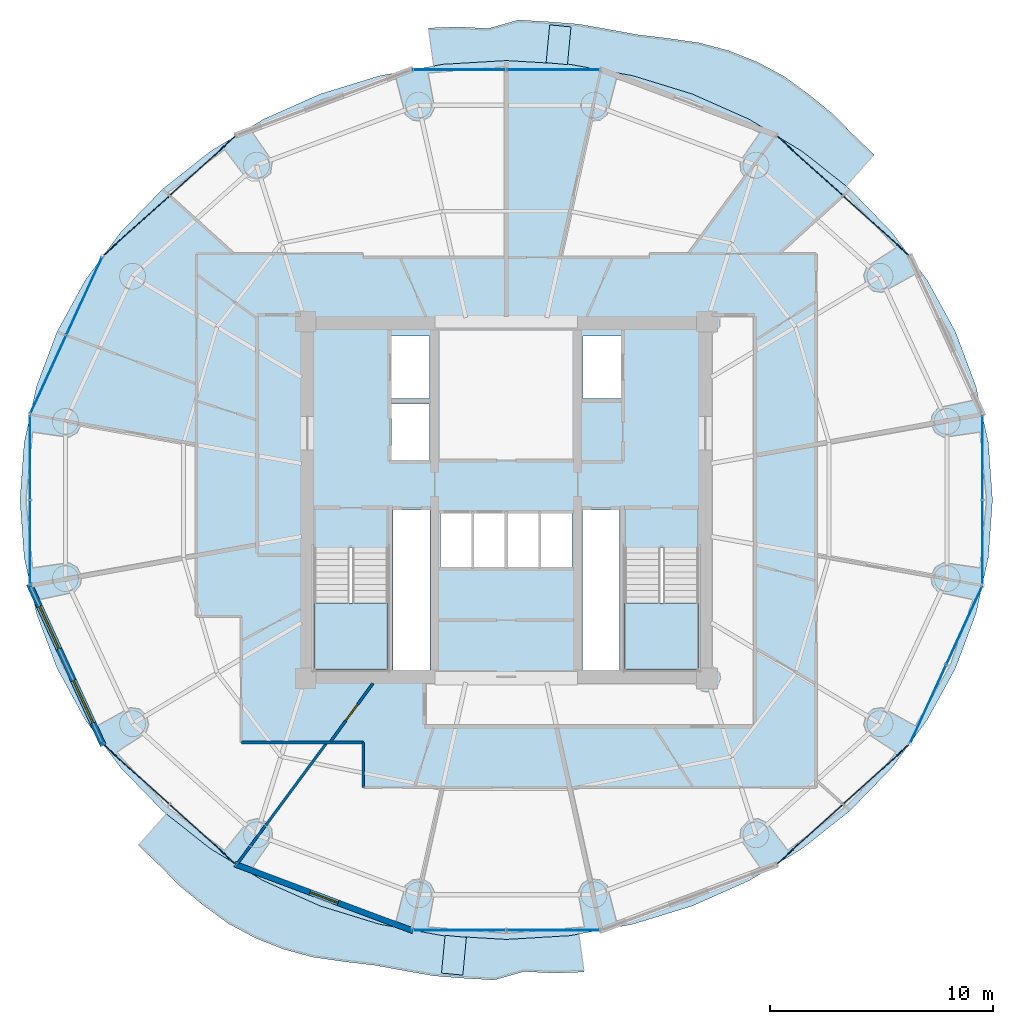
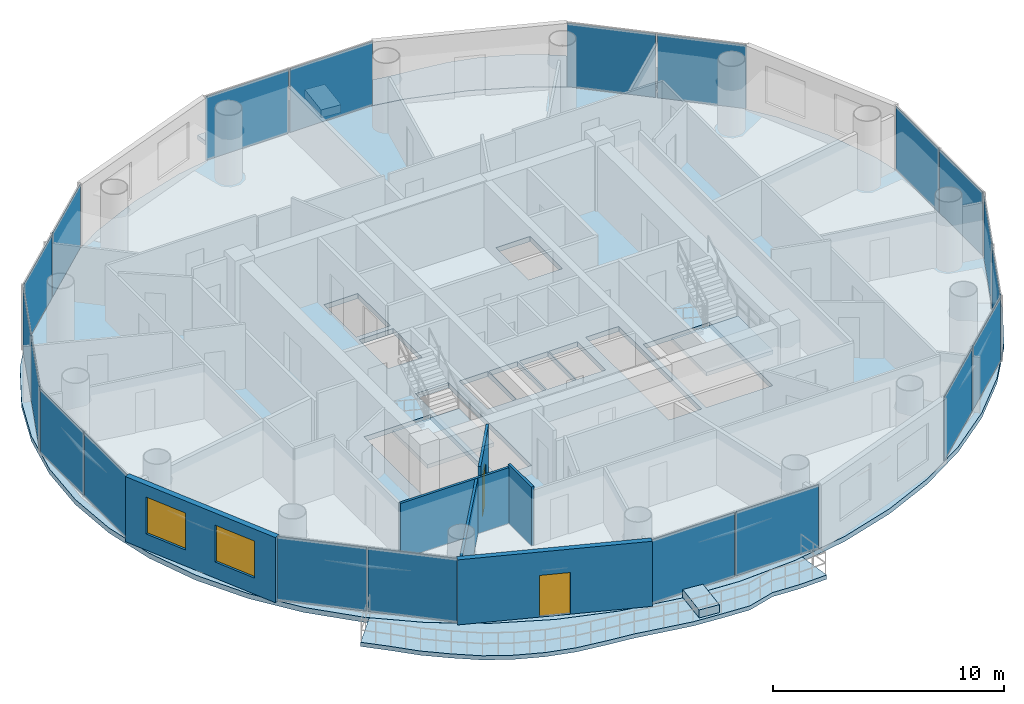
# One storey, part 19 of 27: 20 plates, 7 slabs, 6 walls, 2 doors, 2 windows, 4 openings, 12 elements without a shape of their own.
"""IFC4 building model written with IfcOpenShell, lengths in metres."""

from ifc_helpers import new_model, si_unit, direction, frame, frame_2d, origin, origin_2d, place, context, subcontext, project, spatial, polyline, rectangle, outline, extrude, source, transform, mapped, material, layer, layer_set, type_object, element, fill, aggregate, save


model = new_model("IFC4")

# Units and contexts
model_context = context("Model", 3, precision=1e-05, world=origin(), true_north=direction((-0.2419218956, 0.970295726276)))
body_context = subcontext(model_context, "Body", "Model", "MODEL_VIEW")
ifc_project = project(units=[si_unit("LENGTHUNIT", "METRE"), si_unit("AREAUNIT", "SQUARE_METRE"), si_unit("VOLUMEUNIT", "CUBIC_METRE"), si_unit("PLANEANGLEUNIT", "RADIAN"), si_unit("MASSUNIT", "GRAM", prefix="KILO")], contexts=[model_context])

# Site, building, storey
site_placement = place(None, origin())
site = spatial("IfcSite", under=ifc_project, at=site_placement, CompositionType="ELEMENT")
building_placement = place(site_placement, origin())
building = spatial("IfcBuilding", under=site, at=building_placement, Name="Cobrevalo Terracotta Tower", CompositionType="ELEMENT")
storey_placement = place(building_placement, frame((0.0, 0.0, 191.199951171875)))
storey = spatial("IfcBuildingStorey", under=building, at=storey_placement, Name="L50", CompositionType="ELEMENT", Elevation=191.199951171875)

# Stair, slab
ifc_material_1 = material(Name="Concrete C50", Category="concrete")
stair_type = type_object("IfcStairType", Name="Core protected escape dogleg stair 1600", PredefinedType="HALF_TURN_STAIR", material=ifc_material_1)
stair_1_placement = place(storey_placement, origin())
stair_1 = element("IfcStair", 1, at=stair_1_placement, inside=storey, type_object=stair_type, Name="L50 Protected exit stair ST-1", PredefinedType="HALF_TURN_STAIR")
ifc_layer_1 = layer(ifc_material_1, 0.199951171875)
ifc_layer_set_1 = layer_set([ifc_layer_1], Name="Concrete C50")
slab_type_1 = type_object("IfcSlabType", Name="Reinforced Concrete Stair Landing 200", PredefinedType="LANDING", material=ifc_layer_set_1)
slab_1_placement = place(storey_placement, frame((0.0, 0.0, 1.650146484375)))
slab_1 = element("IfcSlab", 2, at=slab_1_placement, type_object=slab_type_1, Name="ST-1 landing 1", PredefinedType="LANDING", context=body_context, shape_type="SweptSolid", body=[
    extrude(outline(polyline([(29.375, 22.179931640625), (29.375, 19.175048828125), (32.695068359375, 19.175048828125), (32.695068359375, 22.179931640625), (29.375, 22.179931640625)])), origin(), (0.0, 0.0, 1.0), 0.199951171875),
])
aggregate(stair_1, [slab_1])

stair_2_placement = place(storey_placement, origin())
stair_2 = element("IfcStair", 3, at=stair_2_placement, inside=storey, type_object=stair_type, Name="L50 Protected exit stair ST-2", PredefinedType="HALF_TURN_STAIR")
slab_2_placement = place(storey_placement, frame((0.0, 0.0, 1.650146484375)))
slab_2 = element("IfcSlab", 4, at=slab_2_placement, type_object=slab_type_1, Name="ST-2 landing 1", PredefinedType="LANDING", context=body_context, shape_type="SweptSolid", body=[
    extrude(outline(polyline([(43.304931640625, 22.179931640625), (43.304931640625, 19.175048828125), (46.625, 19.175048828125), (46.625, 22.179931640625), (43.304931640625, 22.179931640625)])), origin(), (0.0, 0.0, 1.0), 0.199951171875),
])
aggregate(stair_2, [slab_2])

# Slabs
ifc_material_2 = material(Name="Concrete C45", Category="concrete")
ifc_layer_2 = layer(ifc_material_2, 0.219970703125)
ifc_layer_set_2 = layer_set([ifc_layer_2], Name="Concrete C45")
slab_type_2 = type_object("IfcSlabType", Name="Spiralling cantilevered balcony lobe slab 220 mm", PredefinedType="FLOOR", material=ifc_layer_set_2)
slab_3_placement = place(storey_placement, frame((0.0, 0.0, -0.219970703125)))
element("IfcSlab", 5, at=slab_3_placement, inside=storey, type_object=slab_type_2, Name="L50 spiralling arc balcony slab lobe 1", PredefinedType="FLOOR", context=body_context, shape_type="SweptSolid", body=[
    extrude(outline(polyline([(54.498291015625, 42.279296875), (53.539794921875, 43.189697265625), (52.595458984375, 44.141357421875), (51.545166015625, 44.99560546875), (50.444091796875, 45.79931640625), (49.239501953125, 46.443359375), (47.96337890625, 46.947021484375), (46.63671875, 47.3017578125), (45.266845703125, 47.497314453125), (43.91162109375, 47.6572265625), (42.580322265625, 47.899169921875), (41.248779296875, 48.135986328125), (39.898193359375, 48.24072265625), (38.54443359375, 48.319580078125), (37.201904296875, 47.9423828125), (35.85498046875, 48.008544921875), (34.508056640625, 47.962890625), (34.7412109375, 46.25927734375), (35.154296875, 46.33349609375), (38.0, 46.501953125), (40.845703125, 46.33349609375), (43.642822265625, 45.83056640625), (46.34326171875, 45.002197265625), (48.90087890625, 43.862548828125), (51.272216796875, 42.4306640625), (53.2470703125, 40.86572265625), (54.498291015625, 42.279296875)])), origin(), (0.0, 0.0, 1.0), 0.219970703125),
])
slab_4_placement = place(storey_placement, frame((0.0, 0.0, -0.219970703125)))
element("IfcSlab", 6, at=slab_4_placement, inside=storey, type_object=slab_type_2, Name="L50 spiralling arc balcony slab lobe 2", PredefinedType="FLOOR", context=body_context, shape_type="SweptSolid", body=[
    extrude(outline(polyline([(21.501708984375, 11.320556640625), (22.460205078125, 10.41015625), (23.404541015625, 9.45849609375), (24.454833984375, 8.6044921875), (25.555908203125, 7.80078125), (26.760498046875, 7.15673828125), (28.03662109375, 6.653076171875), (29.36328125, 6.29833984375), (30.733154296875, 6.1025390625), (32.08837890625, 5.942626953125), (33.419677734375, 5.70068359375), (34.751220703125, 5.4638671875), (36.101806640625, 5.359375), (37.45556640625, 5.2802734375), (38.798095703125, 5.65771484375), (40.14501953125, 5.59130859375), (41.491943359375, 5.636962890625), (41.2587890625, 7.3408203125), (40.845703125, 7.2666015625), (38.0, 7.097900390625), (35.154296875, 7.2666015625), (32.357177734375, 7.769287109375), (29.65673828125, 8.59765625), (27.09912109375, 9.737548828125), (24.727783203125, 11.16943359375), (22.7529296875, 12.734375), (21.501708984375, 11.320556640625)])), origin(), (0.0, 0.0, 1.0), 0.219970703125),
])
ifc_material_3 = material(Name="Precast concrete C45", Category="concrete")
ifc_layer_3 = layer(ifc_material_3, 0.419921875)
ifc_layer_set_3 = layer_set([ifc_layer_3], Name="Precast concrete C45")
slab_type_3 = type_object("IfcSlabType", Name="Structural tree planter trough base 420 mm", PredefinedType="USERDEFINED", material=ifc_layer_set_3)
slab_5_placement = place(storey_placement, origin())
element("IfcSlab", 7, at=slab_5_placement, inside=storey, type_object=slab_type_3, Name="L50 structural tree planter trough 1", ObjectType="PLANTER", PredefinedType="USERDEFINED", context=body_context, shape_type="SweptSolid", body=[
    extrude(outline(polyline([(40.742919921875, 46.318115234375), (40.90283203125, 48.010498046875), (39.947265625, 48.100830078125), (39.787109375, 46.408447265625), (40.742919921875, 46.318115234375)])), origin(), (0.0, 0.0, 1.0), 0.420166015625),
])
slab_6_placement = place(storey_placement, origin())
element("IfcSlab", 8, at=slab_6_placement, inside=storey, type_object=slab_type_3, Name="L50 structural tree planter trough 2", ObjectType="PLANTER", PredefinedType="USERDEFINED", context=body_context, shape_type="SweptSolid", body=[
    extrude(outline(polyline([(35.257080078125, 7.281982421875), (35.09716796875, 5.58935546875), (36.052734375, 5.4990234375), (36.212890625, 7.191650390625), (35.257080078125, 7.281982421875)])), origin(), (0.0, 0.0, 1.0), 0.420166015625),
])
ifc_layer_4 = layer(ifc_material_2, 0.264892578125)
ifc_layer_set_4 = layer_set([ifc_layer_4], Name="Concrete C45")
slab_type_4 = type_object("IfcSlabType", Name="Zone Z4 elliptical floor plate 265 mm", PredefinedType="FLOOR", material=ifc_layer_set_4)
slab_7_placement = place(storey_placement, frame((0.0, 0.0, -0.264892578125)))
element("IfcSlab", 9, at=slab_7_placement, inside=storey, type_object=slab_type_4, Name="L50 indoor elliptical floor slab", PredefinedType="FLOOR", context=body_context, shape_type="SweptSolid", body=[
    extrude(outline(polyline([(59.613525390625, 24.228515625), (59.05712890625, 21.701171875), (58.140625, 19.26123046875), (56.87939453125, 16.949951171875), (55.295166015625, 14.807373046875), (53.4150390625, 12.8701171875), (51.27099609375, 11.1708984375), (48.89990234375, 9.7392578125), (46.342529296875, 8.599609375), (43.642333984375, 7.771240234375), (40.845458984375, 7.2685546875), (38.0, 7.10009765625), (35.154541015625, 7.2685546875), (32.357666015625, 7.771240234375), (29.657470703125, 8.599609375), (27.10009765625, 9.7392578125), (24.72900390625, 11.1708984375), (22.5849609375, 12.8701171875), (20.704833984375, 14.807373046875), (19.12060546875, 16.949951171875), (17.859375, 19.26123046875), (16.94287109375, 21.701171875), (16.386474609375, 24.228515625), (16.199951171875, 26.800048828125), (16.386474609375, 29.371337890625), (16.94287109375, 31.898681640625), (17.859375, 34.3388671875), (19.12060546875, 36.64990234375), (20.704833984375, 38.79248046875), (22.5849609375, 40.72998046875), (24.72900390625, 42.428955078125), (27.10009765625, 43.860595703125), (29.657470703125, 45.00048828125), (32.357666015625, 45.828857421875), (35.154541015625, 46.33154296875), (38.0, 46.5), (40.845458984375, 46.33154296875), (43.642333984375, 45.828857421875), (46.342529296875, 45.00048828125), (48.89990234375, 43.860595703125), (51.27099609375, 42.428955078125), (53.4150390625, 40.72998046875), (55.295166015625, 38.79248046875), (56.87939453125, 36.64990234375), (58.140625, 34.3388671875), (59.05712890625, 31.898681640625), (59.613525390625, 29.371337890625), (59.800048828125, 26.800048828125), (59.613525390625, 24.228515625)]), holes=[polyline([(32.695068359375, 19.175048828125), (32.695068359375, 24.659912109375), (29.375, 24.659912109375), (29.375, 19.175048828125), (32.695068359375, 19.175048828125)]), polyline([(34.574951171875, 26.360107421875), (32.919921875, 26.360107421875), (32.919921875, 19.175048828125), (34.574951171875, 19.175048828125), (34.574951171875, 26.360107421875)]), polyline([(36.47998046875, 26.25), (35.050048828125, 26.25), (35.050048828125, 23.800048828125), (36.47998046875, 23.800048828125), (36.47998046875, 26.25)]), polyline([(37.9599609375, 23.800048828125), (37.9599609375, 26.25), (36.530029296875, 26.25), (36.530029296875, 23.800048828125), (37.9599609375, 23.800048828125)]), polyline([(34.550048828125, 28.60009765625), (34.550048828125, 31.10009765625), (32.85009765625, 31.10009765625), (32.85009765625, 28.60009765625), (34.550048828125, 28.60009765625)]), polyline([(34.550048828125, 34.14990234375), (32.85009765625, 34.14990234375), (32.85009765625, 31.35009765625), (34.550048828125, 31.35009765625), (34.550048828125, 34.14990234375)]), polyline([(43.304931640625, 19.175048828125), (46.625, 19.175048828125), (46.625, 24.659912109375), (43.304931640625, 24.659912109375), (43.304931640625, 19.175048828125)]), polyline([(43.080078125, 19.175048828125), (43.080078125, 26.360107421875), (41.425048828125, 26.360107421875), (41.425048828125, 19.175048828125), (43.080078125, 19.175048828125)]), polyline([(39.469970703125, 26.25), (38.0400390625, 26.25), (38.0400390625, 23.800048828125), (39.469970703125, 23.800048828125), (39.469970703125, 26.25)]), polyline([(40.949951171875, 23.800048828125), (40.949951171875, 26.25), (39.52001953125, 26.25), (39.52001953125, 23.800048828125), (40.949951171875, 23.800048828125)]), polyline([(43.14990234375, 31.35009765625), (43.14990234375, 34.14990234375), (41.449951171875, 34.14990234375), (41.449951171875, 31.35009765625), (43.14990234375, 31.35009765625)])]), origin(), (0.0, 0.0, 1.0), 0.264892578125),
])

# Curtain wall, plates
ifc_material_4 = material(Name="Anodized aluminium", Category="aluminium")
curtain_wall_type = type_object("IfcCurtainWallType", Name="Mid-tower high-wind unitised curtain wall CW-U2", PredefinedType="NOTDEFINED", material=ifc_material_4)
curtain_wall_1_placement = place(storey_placement, origin())
curtain_wall_1 = element("IfcCurtainWall", 10, at=curtain_wall_1_placement, inside=storey, type_object=curtain_wall_type, Name="L50 curtain wall CW-L50-S02", PredefinedType="NOTDEFINED")
ifc_material_5 = material(Name="Solar-control low-E double glazing", Category="glass")
ifc_layer_5 = layer(ifc_material_5, 0.028076171875)
ifc_layer_set_5 = layer_set([ifc_layer_5], Name="Solar-control low-E double glazing")
plate_type = type_object("IfcPlateType", Name="Tower solar-control low-E vision glass panel 28 mm", PredefinedType="CURTAIN_PANEL", material=ifc_layer_set_5)
shared_shape_1 = source(origin(), body_context, "Body", "SweptSolid", [
    extrude(rectangle(XDim=3.927490234375, YDim=0.035888671875, at=origin_2d()), origin(), (0.0, 0.0, 1.0), 3.35498046875),
])
plate_1_placement = place(storey_placement, frame((54.584716796875, 39.09814453125, 0.0400390625), z_axis=(0.0, 0.0, 1.0), x_axis=(-0.741987542015, 0.670413668935, 0.0)))
plate_1 = element("IfcPlate", 11, at=plate_1_placement, type_object=plate_type, Name="CW-L50-S02 glazing panel B01", PredefinedType="CURTAIN_PANEL", context=body_context, shape_type="MappedRepresentation", body=[
    mapped(shared_shape_1, transform((0.0, 0.0, 0.0), scale=1.0)),
])
plate_2_placement = place(storey_placement, frame((51.611083984375, 41.784912109375, 0.0400390625), z_axis=(0.0, 0.0, 1.0), x_axis=(-0.741987542015, 0.670413668935, 0.0)))
plate_2 = element("IfcPlate", 12, at=plate_2_placement, type_object=plate_type, Name="CW-L50-S02 glazing panel B02", PredefinedType="CURTAIN_PANEL", context=body_context, shape_type="MappedRepresentation", body=[
    mapped(shared_shape_1, transform((0.0, 0.0, 0.0), scale=1.0)),
])
aggregate(curtain_wall_1, [plate_1, plate_2])

curtain_wall_2_placement = place(storey_placement, origin())
curtain_wall_2 = element("IfcCurtainWall", 13, at=curtain_wall_2_placement, inside=storey, type_object=curtain_wall_type, Name="L50 curtain wall CW-L50-S06", PredefinedType="NOTDEFINED")
plate_3_placement = place(storey_placement, frame((24.388916015625, 41.784912109375, 0.0400390625), z_axis=(0.0, 0.0, 1.0), x_axis=(-0.741987542015, -0.670413668935, 0.0)))
plate_3 = element("IfcPlate", 14, at=plate_3_placement, type_object=plate_type, Name="CW-L50-S06 glazing panel B01", PredefinedType="CURTAIN_PANEL", context=body_context, shape_type="MappedRepresentation", body=[
    mapped(shared_shape_1, transform((0.0, 0.0, 0.0), scale=1.0)),
])
plate_4_placement = place(storey_placement, frame((21.415283203125, 39.09814453125, 0.0400390625), z_axis=(0.0, 0.0, 1.0), x_axis=(-0.741987542015, -0.670413668935, 0.0)))
plate_4 = element("IfcPlate", 15, at=plate_4_placement, type_object=plate_type, Name="CW-L50-S06 glazing panel B02", PredefinedType="CURTAIN_PANEL", context=body_context, shape_type="MappedRepresentation", body=[
    mapped(shared_shape_1, transform((0.0, 0.0, 0.0), scale=1.0)),
])
aggregate(curtain_wall_2, [plate_3, plate_4])

curtain_wall_3_placement = place(storey_placement, origin())
curtain_wall_3 = element("IfcCurtainWall", 16, at=curtain_wall_3_placement, inside=storey, type_object=curtain_wall_type, Name="L50 curtain wall CW-L50-S10", PredefinedType="NOTDEFINED")
plate_5_placement = place(storey_placement, frame((21.415283203125, 14.501708984375, 0.0400390625), z_axis=(0.0, 0.0, 1.0), x_axis=(0.741987542015, -0.670413668935, 0.0)))
plate_5 = element("IfcPlate", 17, at=plate_5_placement, type_object=plate_type, Name="CW-L50-S10 glazing panel B01", PredefinedType="CURTAIN_PANEL", context=body_context, shape_type="MappedRepresentation", body=[
    mapped(shared_shape_1, transform((0.0, 0.0, 0.0), scale=1.0)),
])
plate_6_placement = place(storey_placement, frame((24.388916015625, 11.815185546875, 0.0400390625), z_axis=(0.0, 0.0, 1.0), x_axis=(0.741987542015, -0.670413668935, 0.0)))
plate_6 = element("IfcPlate", 18, at=plate_6_placement, type_object=plate_type, Name="CW-L50-S10 glazing panel B02", PredefinedType="CURTAIN_PANEL", context=body_context, shape_type="MappedRepresentation", body=[
    mapped(shared_shape_1, transform((0.0, 0.0, 0.0), scale=1.0)),
])
aggregate(curtain_wall_3, [plate_5, plate_6])

curtain_wall_4_placement = place(storey_placement, origin())
curtain_wall_4 = element("IfcCurtainWall", 19, at=curtain_wall_4_placement, inside=storey, type_object=curtain_wall_type, Name="L50 curtain wall CW-L50-S14", PredefinedType="NOTDEFINED")
plate_7_placement = place(storey_placement, frame((51.611083984375, 11.815185546875, 0.0400390625), z_axis=(0.0, 0.0, 1.0), x_axis=(0.741987542015, 0.670413668935, 0.0)))
plate_7 = element("IfcPlate", 20, at=plate_7_placement, type_object=plate_type, Name="CW-L50-S14 glazing panel B01", PredefinedType="CURTAIN_PANEL", context=body_context, shape_type="MappedRepresentation", body=[
    mapped(shared_shape_1, transform((0.0, 0.0, 0.0), scale=1.0)),
])
plate_8_placement = place(storey_placement, frame((54.584716796875, 14.501708984375, 0.0400390625), z_axis=(0.0, 0.0, 1.0), x_axis=(0.741987542015, 0.670413668935, 0.0)))
plate_8 = element("IfcPlate", 21, at=plate_8_placement, type_object=plate_type, Name="CW-L50-S14 glazing panel B02", PredefinedType="CURTAIN_PANEL", context=body_context, shape_type="MappedRepresentation", body=[
    mapped(shared_shape_1, transform((0.0, 0.0, 0.0), scale=1.0)),
])
aggregate(curtain_wall_4, [plate_7, plate_8])

curtain_wall_5_placement = place(storey_placement, origin())
curtain_wall_5 = element("IfcCurtainWall", 22, at=curtain_wall_5_placement, inside=storey, type_object=curtain_wall_type, Name="L50 curtain wall CW-L50-S04", PredefinedType="NOTDEFINED")
shared_shape_2 = source(origin(), body_context, "Body", "SweptSolid", [
    extrude(rectangle(XDim=4.127197265625, YDim=0.035888671875, at=origin_2d()), origin(), (0.0, 0.0, 1.0), 3.35498046875),
])
plate_9_placement = place(storey_placement, frame((40.103515625, 46.092041015625, 0.0400390625), z_axis=(0.0, 0.0, 1.0), x_axis=(-1.0, 0.0, 0.0)))
plate_9 = element("IfcPlate", 23, at=plate_9_placement, type_object=plate_type, Name="CW-L50-S04 glazing panel B01", PredefinedType="CURTAIN_PANEL", context=body_context, shape_type="MappedRepresentation", body=[
    mapped(shared_shape_2, transform((0.0, 0.0, 0.0), scale=1.0)),
])
plate_10_placement = place(storey_placement, frame((35.896484375, 46.092041015625, 0.0400390625), z_axis=(0.0, 0.0, 1.0), x_axis=(-1.0, 0.0, 0.0)))
plate_10 = element("IfcPlate", 24, at=plate_10_placement, type_object=plate_type, Name="CW-L50-S04 glazing panel B02", PredefinedType="CURTAIN_PANEL", context=body_context, shape_type="MappedRepresentation", body=[
    mapped(shared_shape_2, transform((0.0, 0.0, 0.0), scale=1.0)),
])
aggregate(curtain_wall_5, [plate_9, plate_10])

curtain_wall_6_placement = place(storey_placement, origin())
curtain_wall_6 = element("IfcCurtainWall", 25, at=curtain_wall_6_placement, inside=storey, type_object=curtain_wall_type, Name="L50 curtain wall CW-L50-S12", PredefinedType="NOTDEFINED")
plate_11_placement = place(storey_placement, frame((35.896484375, 7.508056640625, 0.0400390625), z_axis=(0.0, 0.0, 1.0), x_axis=(1.0, 0.0, 0.0)))
plate_11 = element("IfcPlate", 26, at=plate_11_placement, type_object=plate_type, Name="CW-L50-S12 glazing panel B01", PredefinedType="CURTAIN_PANEL", context=body_context, shape_type="MappedRepresentation", body=[
    mapped(shared_shape_2, transform((0.0, 0.0, 0.0), scale=1.0)),
])
plate_12_placement = place(storey_placement, frame((40.103515625, 7.508056640625, 0.0400390625), z_axis=(0.0, 0.0, 1.0), x_axis=(1.0, 0.0, 0.0)))
plate_12 = element("IfcPlate", 27, at=plate_12_placement, type_object=plate_type, Name="CW-L50-S12 glazing panel B02", PredefinedType="CURTAIN_PANEL", context=body_context, shape_type="MappedRepresentation", body=[
    mapped(shared_shape_2, transform((0.0, 0.0, 0.0), scale=1.0)),
])
aggregate(curtain_wall_6, [plate_11, plate_12])

curtain_wall_7_placement = place(storey_placement, origin())
curtain_wall_7 = element("IfcCurtainWall", 28, at=curtain_wall_7_placement, inside=storey, type_object=curtain_wall_type, Name="L50 curtain wall CW-L50-S07", PredefinedType="NOTDEFINED")
shared_shape_3 = source(origin(), body_context, "Body", "SweptSolid", [
    extrude(rectangle(XDim=3.780029296875, YDim=0.035888671875, at=origin_2d()), origin(), (0.0, 0.0, 1.0), 3.35498046875),
])
plate_13_placement = place(storey_placement, frame((19.077880859375, 35.937255859375, 0.0400390625), z_axis=(0.0, 0.0, 1.0), x_axis=(-0.416731425355, -0.909029657999, 0.0)))
plate_13 = element("IfcPlate", 29, at=plate_13_placement, type_object=plate_type, Name="CW-L50-S07 glazing panel B01", PredefinedType="CURTAIN_PANEL", context=body_context, shape_type="MappedRepresentation", body=[
    mapped(shared_shape_3, transform((0.0, 0.0, 0.0), scale=1.0)),
])
plate_14_placement = place(storey_placement, frame((17.46923828125, 32.42822265625, 0.0400390625), z_axis=(0.0, 0.0, 1.0), x_axis=(-0.416731425355, -0.909029657999, 0.0)))
plate_14 = element("IfcPlate", 30, at=plate_14_placement, type_object=plate_type, Name="CW-L50-S07 glazing panel B02", PredefinedType="CURTAIN_PANEL", context=body_context, shape_type="MappedRepresentation", body=[
    mapped(shared_shape_3, transform((0.0, 0.0, 0.0), scale=1.0)),
])
aggregate(curtain_wall_7, [plate_13, plate_14])

curtain_wall_8_placement = place(storey_placement, origin())
curtain_wall_8 = element("IfcCurtainWall", 31, at=curtain_wall_8_placement, inside=storey, type_object=curtain_wall_type, Name="L50 curtain wall CW-L50-S15", PredefinedType="NOTDEFINED")
plate_15_placement = place(storey_placement, frame((56.922119140625, 17.662841796875, 0.0400390625), z_axis=(0.0, 0.0, 1.0), x_axis=(0.416731425355, 0.909029657999, 0.0)))
plate_15 = element("IfcPlate", 32, at=plate_15_placement, type_object=plate_type, Name="CW-L50-S15 glazing panel B01", PredefinedType="CURTAIN_PANEL", context=body_context, shape_type="MappedRepresentation", body=[
    mapped(shared_shape_3, transform((0.0, 0.0, 0.0), scale=1.0)),
])
plate_16_placement = place(storey_placement, frame((58.53076171875, 21.171630859375, 0.0400390625), z_axis=(0.0, 0.0, 1.0), x_axis=(0.416731425355, 0.909029657999, 0.0)))
plate_16 = element("IfcPlate", 33, at=plate_16_placement, type_object=plate_type, Name="CW-L50-S15 glazing panel B02", PredefinedType="CURTAIN_PANEL", context=body_context, shape_type="MappedRepresentation", body=[
    mapped(shared_shape_3, transform((0.0, 0.0, 0.0), scale=1.0)),
])
aggregate(curtain_wall_8, [plate_15, plate_16])

curtain_wall_9_placement = place(storey_placement, origin())
curtain_wall_9 = element("IfcCurtainWall", 34, at=curtain_wall_9_placement, inside=storey, type_object=curtain_wall_type, Name="L50 curtain wall CW-L50-S08", PredefinedType="NOTDEFINED")
shared_shape_4 = source(origin(), body_context, "Body", "SweptSolid", [
    extrude(rectangle(XDim=3.71728515625, YDim=0.035888671875, at=origin_2d()), origin(), (0.0, 0.0, 1.0), 3.35498046875),
])
plate_17_placement = place(storey_placement, frame((16.648193359375, 28.69873046875, 0.0400390625), z_axis=(0.0, 0.0, 1.0), x_axis=(0.0, -1.0, 0.0)))
plate_17 = element("IfcPlate", 35, at=plate_17_placement, type_object=plate_type, Name="CW-L50-S08 glazing panel B01", PredefinedType="CURTAIN_PANEL", context=body_context, shape_type="MappedRepresentation", body=[
    mapped(shared_shape_4, transform((0.0, 0.0, 0.0), scale=1.0)),
])
plate_18_placement = place(storey_placement, frame((16.648193359375, 24.9013671875, 0.0400390625), z_axis=(0.0, 0.0, 1.0), x_axis=(0.0, -1.0, 0.0)))
plate_18 = element("IfcPlate", 36, at=plate_18_placement, type_object=plate_type, Name="CW-L50-S08 glazing panel B02", PredefinedType="CURTAIN_PANEL", context=body_context, shape_type="MappedRepresentation", body=[
    mapped(shared_shape_4, transform((0.0, 0.0, 0.0), scale=1.0)),
])
aggregate(curtain_wall_9, [plate_17, plate_18])

curtain_wall_10_placement = place(storey_placement, origin())
curtain_wall_10 = element("IfcCurtainWall", 37, at=curtain_wall_10_placement, inside=storey, type_object=curtain_wall_type, Name="L50 curtain wall CW-L50-S16", PredefinedType="NOTDEFINED")
plate_19_placement = place(storey_placement, frame((59.351806640625, 24.9013671875, 0.0400390625), z_axis=(0.0, 0.0, 1.0), x_axis=(0.0, 1.0, 0.0)))
plate_19 = element("IfcPlate", 38, at=plate_19_placement, type_object=plate_type, Name="CW-L50-S16 glazing panel B01", PredefinedType="CURTAIN_PANEL", context=body_context, shape_type="MappedRepresentation", body=[
    mapped(shared_shape_4, transform((0.0, 0.0, 0.0), scale=1.0)),
])
plate_20_placement = place(storey_placement, frame((59.351806640625, 28.69873046875, 0.0400390625), z_axis=(0.0, 0.0, 1.0), x_axis=(0.0, 1.0, 0.0)))
plate_20 = element("IfcPlate", 39, at=plate_20_placement, type_object=plate_type, Name="CW-L50-S16 glazing panel B02", PredefinedType="CURTAIN_PANEL", context=body_context, shape_type="MappedRepresentation", body=[
    mapped(shared_shape_4, transform((0.0, 0.0, 0.0), scale=1.0)),
])
aggregate(curtain_wall_10, [plate_19, plate_20])

# Wall, openings, windows
ifc_material_6 = material(Name="Autoclaved aerated concrete block", Category="concrete")
ifc_layer_6 = layer(ifc_material_6, 0.280029296875)
ifc_layer_set_6 = layer_set([ifc_layer_6], Name="Autoclaved aerated concrete block")
wall_type_1 = type_object("IfcWallType", Name="Insulated tower spandrel & pier wall 280 mm with terracotta rainscreen", PredefinedType="SOLIDWALL", material=ifc_layer_set_6)
wall_1_placement = place(storey_placement, frame((16.614990234375, 23.035400390625, 0.0), z_axis=(0.0, 0.0, 1.0), x_axis=(0.416717018135, -0.909036262641, 0.0)))
wall_1 = element("IfcWall", 40, at=wall_1_placement, inside=storey, type_object=wall_type_1, Name="L50 terracotta rainscreen pier wall S09", PredefinedType="SOLIDWALL", context=body_context, shape_type="SweptSolid", body=[
    extrude(rectangle(XDim=7.960205078125, YDim=0.280029296875, at=frame_2d((3.97998046875, 0.0))), origin(), (0.0, 0.0, 1.0), 3.43505859375),
])
opening_1_placement = place(wall_1_placement, frame((1.099365234375, 0.0, 0.85009765625)))
opening_1 = element("IfcOpeningElement", 41, at=opening_1_placement, cuts=wall_1, Name="Opening WN-10", PredefinedType="OPENING", context=body_context, shape_type="SweptSolid", body=[
    extrude(rectangle(XDim=2.10009765625, YDim=1.949951171875, at=frame_2d((1.050048828125, 0.97509765625))), frame((0.0, 0.14990234375, 0.0), z_axis=(0.0, -1.0, 0.0), x_axis=(1.0, 0.0, 0.0)), (0.0, 0.0, 1.0), 0.300048828125),
])
opening_2_placement = place(wall_1_placement, frame((4.760986328125, 0.0, 0.85009765625)))
opening_2 = element("IfcOpeningElement", 42, at=opening_2_placement, cuts=wall_1, Name="Opening WN-10", PredefinedType="OPENING", context=body_context, shape_type="SweptSolid", body=[
    extrude(rectangle(XDim=2.10009765625, YDim=1.949951171875, at=frame_2d((1.050048828125, 0.97509765625))), frame((0.0, 0.14990234375, 0.0), z_axis=(0.0, -1.0, 0.0), x_axis=(1.0, 0.0, 0.0)), (0.0, 0.0, 1.0), 0.300048828125),
])
window_type = type_object("IfcWindowType", Name="Wide panoramic low-E aluminium window 2100x1950", PartitioningType="SINGLE_PANEL", PredefinedType="WINDOW", material=ifc_material_5)
shared_shape_5 = source(origin(), body_context, "Body", "SweptSolid", [
    extrude(rectangle(XDim=2.10009765625, YDim=1.949951171875, at=frame_2d((1.050048828125, 0.97509765625))), frame((0.0, 0.030029296875, 0.0), z_axis=(0.0, -1.0, 0.0), x_axis=(1.0, 0.0, 0.0)), (0.0, 0.0, 1.0), 0.06005859375),
])
window_1_placement = place(opening_1_placement, origin())
window_1 = element("IfcWindow", 43, at=window_1_placement, inside=storey, type_object=window_type, Name="L50 suite window S09A", OverallHeight=1.949951171875, OverallWidth=2.10009765625, PartitioningType="SINGLE_PANEL", PredefinedType="WINDOW", context=body_context, shape_type="MappedRepresentation", body=[
    mapped(shared_shape_5, transform((0.0, 0.0, 0.0), scale=1.0)),
])
fill(opening_1, window_1)
window_2_placement = place(opening_2_placement, origin())
window_2 = element("IfcWindow", 44, at=window_2_placement, inside=storey, type_object=window_type, Name="L50 suite window S09B", OverallHeight=1.949951171875, OverallWidth=2.10009765625, PartitioningType="SINGLE_PANEL", PredefinedType="WINDOW", context=body_context, shape_type="MappedRepresentation", body=[
    mapped(shared_shape_5, transform((0.0, 0.0, 0.0), scale=1.0)),
])
fill(opening_2, window_2)

# Wall, opening, door
ifc_layer_7 = layer(ifc_material_6, 0.260009765625)
ifc_layer_set_7 = layer_set([ifc_layer_7], Name="Autoclaved aerated concrete block")
wall_type_2 = type_object("IfcWallType", Name="Recessed balcony loggia insulated exterior wall 260 mm", PredefinedType="SOLIDWALL", material=ifc_layer_set_7)
wall_2_placement = place(storey_placement, frame((25.830322265625, 10.47314453125, 0.0), z_axis=(0.0, 0.0, 1.0), x_axis=(0.936556918375, -0.350515532672, 0.0)))
wall_2 = element("IfcWall", 45, at=wall_2_placement, inside=storey, type_object=wall_type_2, Name="L50 balcony loggia wall S11", PredefinedType="SOLIDWALL", context=body_context, shape_type="SweptSolid", body=[
    extrude(rectangle(XDim=8.539306640625, YDim=0.260009765625, at=frame_2d((4.26953125, 0.0))), origin(), (0.0, 0.0, 1.0), 3.43505859375),
])
opening_3_placement = place(wall_2_placement, frame((3.594482421875, 0.0, 0.0)))
opening_3 = element("IfcOpeningElement", 46, at=opening_3_placement, cuts=wall_2, Name="Opening ED-05", PredefinedType="OPENING", context=body_context, shape_type="SweptSolid", body=[
    extrude(rectangle(XDim=1.35009765625, YDim=2.199951171875, at=frame_2d((0.675048828125, 1.10009765625))), frame((0.0, 0.14013671875, 0.0), z_axis=(0.0, -1.0, 0.0), x_axis=(1.0, 0.0, 0.0)), (0.0, 0.0, 1.0), 0.280029296875),
])
ifc_material_7 = material(Name="Anodized aluminium and laminated glass", Category="aluminium")
door_type_1 = type_object("IfcDoorType", Name="Suite balcony acoustic glazed terrace door 1350x2200", OperationType="NOTDEFINED", PredefinedType="DOOR", material=ifc_material_7)
shared_shape_6 = source(origin(), body_context, "Body", "SweptSolid", [
    extrude(rectangle(XDim=1.35009765625, YDim=2.199951171875, at=frame_2d((0.675048828125, 1.10009765625))), frame((0.0, 0.02490234375, 0.0), z_axis=(0.0, -1.0, 0.0), x_axis=(1.0, 0.0, 0.0)), (0.0, 0.0, 1.0), 0.050048828125),
])
door_1_placement = place(opening_3_placement, frame((1.35009765625, 0.0, 0.0), z_axis=(0.0, 0.0, 1.0), x_axis=(-1.0, 0.0, 0.0)))
door_1 = element("IfcDoor", 47, at=door_1_placement, inside=storey, type_object=door_type_1, Name="L50 glazed balcony terrace door 2", OperationType="SINGLE_SWING_RIGHT", OverallHeight=2.199951171875, OverallWidth=1.35009765625, PredefinedType="DOOR", context=body_context, shape_type="MappedRepresentation", body=[
    mapped(shared_shape_6, transform((0.0, 0.0, 0.0), scale=1.0)),
])
fill(opening_3, door_1)

# Walls
ifc_material_8 = material(Name="Gypsum board on steel stud", Category="steel")
ifc_layer_8 = layer(ifc_material_8, 0.1201171875)
ifc_layer_set_8 = layer_set([ifc_layer_8], Name="Gypsum board on steel stud")
wall_type_3 = type_object("IfcWallType", Name="Residential internal acoustic stud partition 120 mm", PredefinedType="PARTITIONING", material=ifc_layer_set_8)
wall_3_placement = place(storey_placement, frame((31.590087890625, 13.9150390625, 0.0), z_axis=(0.0, 0.0, 1.0), x_axis=(0.0, 1.0, 0.0)))
element("IfcWall", 48, at=wall_3_placement, inside=storey, type_object=wall_type_3, Name="L50 interior partition IW-L50-U3-RING1_0", PredefinedType="PARTITIONING", context=body_context, shape_type="SweptSolid", body=[
    extrude(rectangle(XDim=2.010009765625, YDim=0.1201171875, at=frame_2d((1.0048828125, 0.0))), origin(), (0.0, 0.0, 1.0), 3.110107421875),
])
wall_4_placement = place(storey_placement, frame((31.590087890625, 15.925048828125, 0.0), z_axis=(0.0, 0.0, 1.0), x_axis=(-1.0, 0.0, 0.0)))
element("IfcWall", 49, at=wall_4_placement, inside=storey, type_object=wall_type_3, Name="L50 interior partition IW-L50-U3-RING2_0", PredefinedType="PARTITIONING", context=body_context, shape_type="SweptSolid", body=[
    extrude(rectangle(XDim=5.465087890625, YDim=0.1201171875, at=frame_2d((2.732421875, 0.0))), origin(), (0.0, 0.0, 1.0), 2.950927734375),
])
wall_5_placement = place(storey_placement, frame((29.922119140625, 15.875244140625, 0.0), z_axis=(0.0, 0.0, 1.0), x_axis=(-0.594524636617, -0.804077394568, 0.0)))
element("IfcWall", 50, at=wall_5_placement, inside=storey, type_object=wall_type_3, Name="L50 interior partition IW-L50-U3-ORAD1", PredefinedType="PARTITIONING", context=body_context, shape_type="SweptSolid", body=[
    extrude(rectangle(XDim=6.680419921875, YDim=0.1201171875, at=frame_2d((3.34033203125, 0.0))), origin(), (0.0, 0.0, 1.0), 2.950927734375),
])

# Wall, opening, door
wall_6_placement = place(storey_placement, frame((32.019287109375, 18.574951171875, 0.0), z_axis=(0.0, 0.0, 1.0), x_axis=(-0.588135570825, -0.808762357143, 0.0)))
wall_6 = element("IfcWall", 51, at=wall_6_placement, inside=storey, type_object=wall_type_3, Name="L50 interior partition IW-L50-U3-IRAD2", PredefinedType="PARTITIONING", context=body_context, shape_type="SweptSolid", body=[
    extrude(rectangle(XDim=3.214599609375, YDim=0.1201171875, at=frame_2d((1.607421875, 0.0))), origin(), (0.0, 0.0, 1.0), 3.43505859375),
])
opening_4_placement = place(wall_6_placement, frame((1.1572265625, 0.0, 0.0)))
opening_4 = element("IfcOpeningElement", 52, at=opening_4_placement, cuts=wall_6, Name="Opening ID-12", PredefinedType="OPENING", context=body_context, shape_type="SweptSolid", body=[
    extrude(rectangle(XDim=0.89990234375, YDim=2.14990234375, at=frame_2d((0.449951171875, 1.074951171875))), frame((0.0, 0.070068359375, 0.0), z_axis=(0.0, -1.0, 0.0), x_axis=(1.0, 0.0, 0.0)), (0.0, 0.0, 1.0), 0.14013671875),
])
ifc_material_9 = material(Name="Engineered timber", Category="wood")
door_type_2 = type_object("IfcDoorType", Name="Internal residence & suite timber door 900x2150", OperationType="NOTDEFINED", PredefinedType="DOOR", material=ifc_material_9)
shared_shape_7 = source(origin(), body_context, "Body", "SweptSolid", [
    extrude(rectangle(XDim=0.89990234375, YDim=2.14990234375, at=frame_2d((0.449951171875, 1.074951171875))), frame((0.0, 0.02490234375, 0.0), z_axis=(0.0, -1.0, 0.0), x_axis=(1.0, 0.0, 0.0)), (0.0, 0.0, 1.0), 0.050048828125),
])
door_2_placement = place(opening_4_placement, frame((0.89990234375, 0.0, 0.0), z_axis=(0.0, 0.0, 1.0), x_axis=(-1.0, 0.0, 0.0)))
door_2 = element("IfcDoor", 53, at=door_2_placement, inside=storey, type_object=door_type_2, Name="Flat L50C Reception Hallway internal door", OperationType="SINGLE_SWING_LEFT", OverallHeight=2.14990234375, OverallWidth=0.89990234375, PredefinedType="DOOR", context=body_context, shape_type="MappedRepresentation", body=[
    mapped(shared_shape_7, transform((0.0, 0.0, 0.0), scale=1.0)),
])
fill(opening_4, door_2)

save(model, "model.ifc")
